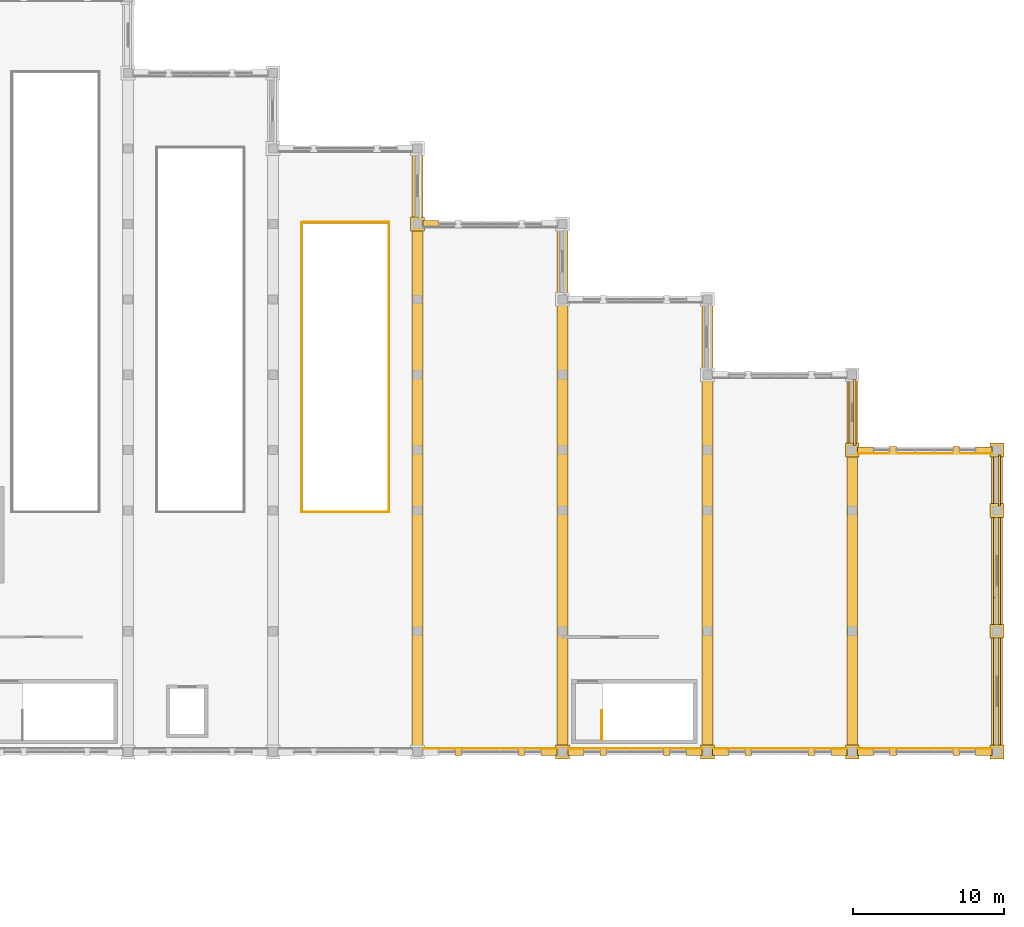
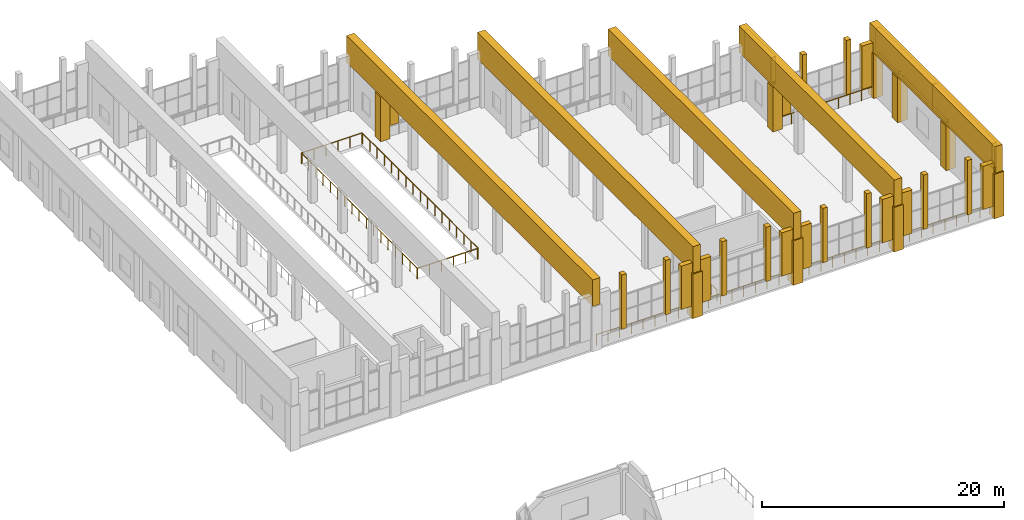
# One storey, part 45 of 46: 41 coverings, 10 railings.
"""IFC4 building model written with IfcOpenShell, lengths in metres."""

from ifc_helpers import new_model, si_unit, direction, frame, origin, origin_2d, place, context, subcontext, project, spatial, polyline, circle, outline, extrude, material, layer, layer_set, type_object, element, save


model = new_model("IFC4")

# Units and contexts
model_context = context("Model", 3, precision=1e-05, world=origin(), true_north=direction((0.0, 1.0)))
body_context = subcontext(model_context, "Body", "Model", "MODEL_VIEW")
ifc_project = project(units=[si_unit("LENGTHUNIT", "METRE"), si_unit("AREAUNIT", "SQUARE_METRE"), si_unit("VOLUMEUNIT", "CUBIC_METRE"), si_unit("PLANEANGLEUNIT", "RADIAN"), si_unit("MASSUNIT", "GRAM", prefix="KILO")], contexts=[model_context])

# Site, building, storey
site_placement = place(None, origin())
site = spatial("IfcSite", under=ifc_project, at=site_placement, CompositionType="ELEMENT")
building_placement = place(site_placement, origin())
building = spatial("IfcBuilding", under=site, at=building_placement, Name="Mavantir Sound Aquarium", CompositionType="ELEMENT")
storey_placement = place(building_placement, frame((0.0, 0.0, 15.300048828125)))
storey = spatial("IfcBuildingStorey", under=building, at=storey_placement, Name="L03", CompositionType="ELEMENT", Elevation=15.300048828125)

# Coverings
ifc_material_1 = material(Name="Honed Coral-Limestone & Glazed Terracotta Rainscreen Cladding", Category="masonry")
ifc_layer = layer(ifc_material_1, 0.06005859375, Name="Honed Coral-Limestone & Glazed Terracotta Rainscreen Cladding")
ifc_layer_set = layer_set([ifc_layer], Name="Honed Coral-Limestone & Glazed Terracotta Rainscreen Cladding")
covering_type = type_object("IfcCoveringType", Name="COV-CLAD-TC", PredefinedType="CLADDING", material=ifc_layer_set)
covering_1_placement = place(storey_placement, frame((0.0, 0.0, 4.10986328125)))
element("IfcCovering", 1, at=covering_1_placement, inside=storey, type_object=covering_type, Name="L03 Postmodern coral-limestone spandrel frieze 446", PredefinedType="CLADDING", context=body_context, shape_type="SweptSolid", body=[
    extrude(outline(polyline([(165.68994140625, 61.10791015625), (165.68994140625, 65.491943359375), (165.840087890625, 65.491943359375), (165.840087890625, 61.10791015625), (165.68994140625, 61.10791015625)])), origin(), (0.0, 0.0, 1.0), 0.39013671875),
])
covering_2_placement = place(storey_placement, frame((0.0, 0.0, 4.10986328125)))
element("IfcCovering", 2, at=covering_2_placement, inside=storey, type_object=covering_type, Name="L03 Postmodern coral-limestone spandrel frieze 461", PredefinedType="CLADDING", context=body_context, shape_type="SweptSolid", body=[
    extrude(outline(polyline([(175.2900390625, 41.10791015625), (175.2900390625, 48.491943359375), (175.43994140625, 48.491943359375), (175.43994140625, 41.10791015625), (175.2900390625, 41.10791015625)])), origin(), (0.0, 0.0, 1.0), 0.39013671875),
])
covering_3_placement = place(storey_placement, frame((0.0, 0.0, 4.10986328125)))
element("IfcCovering", 3, at=covering_3_placement, inside=storey, type_object=covering_type, Name="L03 Postmodern coral-limestone spandrel frieze 462", PredefinedType="CLADDING", context=body_context, shape_type="SweptSolid", body=[
    extrude(outline(polyline([(175.2900390625, 49.10791015625), (175.2900390625, 56.491943359375), (175.43994140625, 56.491943359375), (175.43994140625, 49.10791015625), (175.2900390625, 49.10791015625)])), origin(), (0.0, 0.0, 1.0), 0.39013671875),
])
covering_4_placement = place(storey_placement, frame((0.0, 0.0, 4.10986328125)))
element("IfcCovering", 4, at=covering_4_placement, inside=storey, type_object=covering_type, Name="L03 Postmodern coral-limestone spandrel frieze 463", PredefinedType="CLADDING", context=body_context, shape_type="SweptSolid", body=[
    extrude(outline(polyline([(175.2900390625, 57.10791015625), (175.2900390625, 60.491943359375), (175.43994140625, 60.491943359375), (175.43994140625, 57.10791015625), (175.2900390625, 57.10791015625)])), origin(), (0.0, 0.0, 1.0), 0.39013671875),
])
covering_5_placement = place(storey_placement, origin())
element("IfcCovering", 5, at=covering_5_placement, inside=storey, type_object=covering_type, Name="L03 Postmodern coral-limestone pilaster casing 280", PredefinedType="CLADDING", context=body_context, shape_type="SweptSolid", body=[
    extrude(outline(polyline([(136.340087890625, 75.340087890625), (137.260009765625, 75.340087890625), (137.260009765625, 76.260009765625), (136.340087890625, 76.260009765625), (136.340087890625, 75.340087890625)])), origin(), (0.0, 0.0, 1.0), 4.5),
])
covering_6_placement = place(storey_placement, origin())
element("IfcCovering", 6, at=covering_6_placement, inside=storey, type_object=covering_type, Name="L03 Postmodern coral-limestone pilaster casing 290", PredefinedType="CLADDING", context=body_context, shape_type="SweptSolid", body=[
    extrude(outline(polyline([(145.93994140625, 40.340087890625), (146.860107421875, 40.340087890625), (146.860107421875, 41.260009765625), (145.93994140625, 41.260009765625), (145.93994140625, 40.340087890625)])), origin(), (0.0, 0.0, 1.0), 4.5),
])
covering_7_placement = place(storey_placement, origin())
element("IfcCovering", 7, at=covering_7_placement, inside=storey, type_object=covering_type, Name="L03 Postmodern coral-limestone pilaster casing 302", PredefinedType="CLADDING", context=body_context, shape_type="SweptSolid", body=[
    extrude(outline(polyline([(155.5400390625, 40.340087890625), (156.4599609375, 40.340087890625), (156.4599609375, 41.260009765625), (155.5400390625, 41.260009765625), (155.5400390625, 40.340087890625)])), origin(), (0.0, 0.0, 1.0), 4.5),
])
covering_8_placement = place(storey_placement, origin())
element("IfcCovering", 8, at=covering_8_placement, inside=storey, type_object=covering_type, Name="L03 Postmodern coral-limestone pilaster casing 314", PredefinedType="CLADDING", context=body_context, shape_type="SweptSolid", body=[
    extrude(outline(polyline([(165.139892578125, 40.340087890625), (166.06005859375, 40.340087890625), (166.06005859375, 41.260009765625), (165.139892578125, 41.260009765625), (165.139892578125, 40.340087890625)])), origin(), (0.0, 0.0, 1.0), 4.5),
])
covering_9_placement = place(storey_placement, origin())
element("IfcCovering", 9, at=covering_9_placement, inside=storey, type_object=covering_type, Name="L03 Postmodern coral-limestone pilaster casing 316", PredefinedType="CLADDING", context=body_context, shape_type="SweptSolid", body=[
    extrude(outline(polyline([(165.139892578125, 60.340087890625), (166.06005859375, 60.340087890625), (166.06005859375, 61.260009765625), (165.139892578125, 61.260009765625), (165.139892578125, 60.340087890625)])), origin(), (0.0, 0.0, 1.0), 4.5),
])
covering_10_placement = place(storey_placement, origin())
element("IfcCovering", 10, at=covering_10_placement, inside=storey, type_object=covering_type, Name="L03 Postmodern coral-limestone pilaster casing 328", PredefinedType="CLADDING", context=body_context, shape_type="SweptSolid", body=[
    extrude(outline(polyline([(174.739990234375, 40.340087890625), (175.659912109375, 40.340087890625), (175.659912109375, 41.260009765625), (174.739990234375, 41.260009765625), (174.739990234375, 40.340087890625)])), origin(), (0.0, 0.0, 1.0), 4.5),
])
covering_11_placement = place(storey_placement, origin())
element("IfcCovering", 11, at=covering_11_placement, inside=storey, type_object=covering_type, Name="L03 Postmodern coral-limestone pilaster casing 332", PredefinedType="CLADDING", context=body_context, shape_type="SweptSolid", body=[
    extrude(outline(polyline([(174.739990234375, 48.340087890625), (175.659912109375, 48.340087890625), (175.659912109375, 49.260009765625), (174.739990234375, 49.260009765625), (174.739990234375, 48.340087890625)])), origin(), (0.0, 0.0, 1.0), 4.5),
])
covering_12_placement = place(storey_placement, origin())
element("IfcCovering", 12, at=covering_12_placement, inside=storey, type_object=covering_type, Name="L03 Postmodern coral-limestone pilaster casing 336", PredefinedType="CLADDING", context=body_context, shape_type="SweptSolid", body=[
    extrude(outline(polyline([(174.739990234375, 56.340087890625), (175.659912109375, 56.340087890625), (175.659912109375, 57.260009765625), (174.739990234375, 57.260009765625), (174.739990234375, 56.340087890625)])), origin(), (0.0, 0.0, 1.0), 4.5),
])
covering_13_placement = place(storey_placement, origin())
element("IfcCovering", 13, at=covering_13_placement, inside=storey, type_object=covering_type, Name="L03 Postmodern coral-limestone pilaster casing 340", PredefinedType="CLADDING", context=body_context, shape_type="SweptSolid", body=[
    extrude(outline(polyline([(174.739990234375, 60.340087890625), (175.659912109375, 60.340087890625), (175.659912109375, 61.260009765625), (174.739990234375, 61.260009765625), (174.739990234375, 60.340087890625)])), origin(), (0.0, 0.0, 1.0), 4.5),
])
covering_14_placement = place(storey_placement, frame((0.0, 0.0, 4.5)))
element("IfcCovering", 14, at=covering_14_placement, inside=storey, type_object=covering_type, Name="V4 scalloped ridge coral-limestone frieze E.1", PredefinedType="CLADDING", context=body_context, shape_type="SweptSolid", body=[
    extrude(outline(polyline([(174.97998046875, 41.179931640625), (175.419921875, 41.179931640625), (175.419921875, 51.02001953125), (174.97998046875, 51.02001953125), (174.97998046875, 41.179931640625)])), origin(), (0.0, 0.0, 1.0), 2.5),
])
covering_15_placement = place(storey_placement, frame((0.0, 0.0, 4.5)))
element("IfcCovering", 15, at=covering_15_placement, inside=storey, type_object=covering_type, Name="V4 scalloped ridge coral-limestone frieze E.2", PredefinedType="CLADDING", context=body_context, shape_type="SweptSolid", body=[
    extrude(outline(polyline([(174.97998046875, 50.580078125), (175.419921875, 50.580078125), (175.419921875, 60.419921875), (174.97998046875, 60.419921875), (174.97998046875, 50.580078125)])), origin(), (0.0, 0.0, 1.0), 2.5),
])
covering_16_placement = place(storey_placement, frame((0.0, 0.0, 4.5)))
element("IfcCovering", 16, at=covering_16_placement, inside=storey, type_object=covering_type, Name="V4 scalloped ridge coral-limestone frieze CHK6.1", PredefinedType="CLADDING", context=body_context, shape_type="SweptSolid", body=[
    extrude(outline(polyline([(165.3798828125, 61.030029296875), (165.820068359375, 61.030029296875), (165.820068359375, 65.570068359375), (165.3798828125, 65.570068359375), (165.3798828125, 61.030029296875)])), origin(), (0.0, 0.0, 1.0), 2.5),
])
covering_17_placement = place(storey_placement, frame((0.0, 0.0, 4.5)))
element("IfcCovering", 17, at=covering_17_placement, inside=storey, type_object=covering_type, Name="V4 scalloped straight ridge limestone casing 4", PredefinedType="CLADDING", context=body_context, shape_type="SweptSolid", body=[
    extrude(outline(polyline([(136.43994140625, 40.449951171875), (137.159912109375, 40.449951171875), (137.159912109375, 81.14990234375), (136.43994140625, 81.14990234375), (136.43994140625, 40.449951171875)])), origin(), (0.0, 0.0, 1.0), 2.679931640625),
])
covering_18_placement = place(storey_placement, frame((0.0, 0.0, 4.5)))
element("IfcCovering", 18, at=covering_18_placement, inside=storey, type_object=covering_type, Name="V4 scalloped straight ridge limestone casing 5", PredefinedType="CLADDING", context=body_context, shape_type="SweptSolid", body=[
    extrude(outline(polyline([(146.0400390625, 40.449951171875), (146.760009765625, 40.449951171875), (146.760009765625, 76.14990234375), (146.0400390625, 76.14990234375), (146.0400390625, 40.449951171875)])), origin(), (0.0, 0.0, 1.0), 2.679931640625),
])
covering_19_placement = place(storey_placement, frame((0.0, 0.0, 4.5)))
element("IfcCovering", 19, at=covering_19_placement, inside=storey, type_object=covering_type, Name="V4 scalloped straight ridge limestone casing 6", PredefinedType="CLADDING", context=body_context, shape_type="SweptSolid", body=[
    extrude(outline(polyline([(155.639892578125, 40.449951171875), (156.360107421875, 40.449951171875), (156.360107421875, 71.14990234375), (155.639892578125, 71.14990234375), (155.639892578125, 40.449951171875)])), origin(), (0.0, 0.0, 1.0), 2.679931640625),
])
covering_20_placement = place(storey_placement, frame((0.0, 0.0, 4.5)))
element("IfcCovering", 20, at=covering_20_placement, inside=storey, type_object=covering_type, Name="V4 scalloped straight ridge limestone casing 7", PredefinedType="CLADDING", context=body_context, shape_type="SweptSolid", body=[
    extrude(outline(polyline([(165.239990234375, 40.449951171875), (165.9599609375, 40.449951171875), (165.9599609375, 66.14990234375), (165.239990234375, 66.14990234375), (165.239990234375, 40.449951171875)])), origin(), (0.0, 0.0, 1.0), 2.679931640625),
])
covering_21_placement = place(storey_placement, frame((0.0, 0.0, 4.5)))
element("IfcCovering", 21, at=covering_21_placement, inside=storey, type_object=covering_type, Name="V4 scalloped straight ridge limestone casing 8", PredefinedType="CLADDING", context=body_context, shape_type="SweptSolid", body=[
    extrude(outline(polyline([(174.840087890625, 40.449951171875), (175.56005859375, 40.449951171875), (175.56005859375, 61.14990234375), (174.840087890625, 61.14990234375), (174.840087890625, 40.449951171875)])), origin(), (0.0, 0.0, 1.0), 2.679931640625),
])
covering_22_placement = place(storey_placement, frame((0.0, 0.0, 1.119873046875)))
element("IfcCovering", 22, at=covering_22_placement, inside=storey, type_object=covering_type, Name="Scalloped bay 4 S Diocletian stone mullion ML", PredefinedType="CLADDING", context=body_context, shape_type="SweptSolid", body=[
    extrude(outline(polyline([(139.280029296875, 40.56005859375), (139.719970703125, 40.56005859375), (139.719970703125, 41.0400390625), (139.280029296875, 41.0400390625), (139.280029296875, 40.56005859375)])), origin(), (0.0, 0.0, 1.0), 5.49072265625),
])
covering_23_placement = place(storey_placement, frame((0.0, 0.0, 1.119873046875)))
element("IfcCovering", 23, at=covering_23_placement, inside=storey, type_object=covering_type, Name="Scalloped bay 4 S Diocletian stone mullion MR", PredefinedType="CLADDING", context=body_context, shape_type="SweptSolid", body=[
    extrude(outline(polyline([(143.47998046875, 40.56005859375), (143.919921875, 40.56005859375), (143.919921875, 41.0400390625), (143.47998046875, 41.0400390625), (143.47998046875, 40.56005859375)])), origin(), (0.0, 0.0, 1.0), 5.49072265625),
])
covering_24_placement = place(storey_placement, frame((0.0, 0.0, 1.119873046875)))
element("IfcCovering", 24, at=covering_24_placement, inside=storey, type_object=covering_type, Name="Scalloped bay 4 S Diocletian haunch spandrel HR", PredefinedType="CLADDING", context=body_context, shape_type="SweptSolid", body=[
    extrude(outline(polyline([(144.97998046875, 40.580078125), (146.050048828125, 40.580078125), (146.050048828125, 41.02001953125), (144.97998046875, 41.02001953125), (144.97998046875, 40.580078125)])), origin(), (0.0, 0.0, 1.0), 4.379638671875),
])
covering_25_placement = place(storey_placement, frame((0.0, 0.0, 1.119873046875)))
element("IfcCovering", 25, at=covering_25_placement, inside=storey, type_object=covering_type, Name="Scalloped bay 4 N Diocletian haunch spandrel HL", PredefinedType="CLADDING", context=body_context, shape_type="SweptSolid", body=[
    extrude(outline(polyline([(137.14990234375, 75.580078125), (138.219970703125, 75.580078125), (138.219970703125, 76.02001953125), (137.14990234375, 76.02001953125), (137.14990234375, 75.580078125)])), origin(), (0.0, 0.0, 1.0), 4.379638671875),
])
covering_26_placement = place(storey_placement, frame((0.0, 0.0, 1.119873046875)))
element("IfcCovering", 26, at=covering_26_placement, inside=storey, type_object=covering_type, Name="Scalloped bay 5 S Diocletian stone mullion ML", PredefinedType="CLADDING", context=body_context, shape_type="SweptSolid", body=[
    extrude(outline(polyline([(148.8798828125, 40.56005859375), (149.320068359375, 40.56005859375), (149.320068359375, 41.0400390625), (148.8798828125, 41.0400390625), (148.8798828125, 40.56005859375)])), origin(), (0.0, 0.0, 1.0), 5.49072265625),
])
covering_27_placement = place(storey_placement, frame((0.0, 0.0, 1.119873046875)))
element("IfcCovering", 27, at=covering_27_placement, inside=storey, type_object=covering_type, Name="Scalloped bay 5 S Diocletian stone mullion MR", PredefinedType="CLADDING", context=body_context, shape_type="SweptSolid", body=[
    extrude(outline(polyline([(153.080078125, 40.56005859375), (153.52001953125, 40.56005859375), (153.52001953125, 41.0400390625), (153.080078125, 41.0400390625), (153.080078125, 40.56005859375)])), origin(), (0.0, 0.0, 1.0), 5.49072265625),
])
covering_28_placement = place(storey_placement, frame((0.0, 0.0, 1.119873046875)))
element("IfcCovering", 28, at=covering_28_placement, inside=storey, type_object=covering_type, Name="Scalloped bay 5 S Diocletian haunch spandrel HL", PredefinedType="CLADDING", context=body_context, shape_type="SweptSolid", body=[
    extrude(outline(polyline([(146.75, 40.580078125), (147.820068359375, 40.580078125), (147.820068359375, 41.02001953125), (146.75, 41.02001953125), (146.75, 40.580078125)])), origin(), (0.0, 0.0, 1.0), 4.379638671875),
])
covering_29_placement = place(storey_placement, frame((0.0, 0.0, 1.119873046875)))
element("IfcCovering", 29, at=covering_29_placement, inside=storey, type_object=covering_type, Name="Scalloped bay 5 S Diocletian haunch spandrel HR", PredefinedType="CLADDING", context=body_context, shape_type="SweptSolid", body=[
    extrude(outline(polyline([(154.580078125, 40.580078125), (155.64990234375, 40.580078125), (155.64990234375, 41.02001953125), (154.580078125, 41.02001953125), (154.580078125, 40.580078125)])), origin(), (0.0, 0.0, 1.0), 4.379638671875),
])
covering_30_placement = place(storey_placement, frame((0.0, 0.0, 1.119873046875)))
element("IfcCovering", 30, at=covering_30_placement, inside=storey, type_object=covering_type, Name="Scalloped bay 6 S Diocletian stone mullion ML", PredefinedType="CLADDING", context=body_context, shape_type="SweptSolid", body=[
    extrude(outline(polyline([(158.47998046875, 40.56005859375), (158.919921875, 40.56005859375), (158.919921875, 41.0400390625), (158.47998046875, 41.0400390625), (158.47998046875, 40.56005859375)])), origin(), (0.0, 0.0, 1.0), 5.49072265625),
])
covering_31_placement = place(storey_placement, frame((0.0, 0.0, 1.119873046875)))
element("IfcCovering", 31, at=covering_31_placement, inside=storey, type_object=covering_type, Name="Scalloped bay 6 S Diocletian stone mullion MR", PredefinedType="CLADDING", context=body_context, shape_type="SweptSolid", body=[
    extrude(outline(polyline([(162.679931640625, 40.56005859375), (163.1201171875, 40.56005859375), (163.1201171875, 41.0400390625), (162.679931640625, 41.0400390625), (162.679931640625, 40.56005859375)])), origin(), (0.0, 0.0, 1.0), 5.49072265625),
])
covering_32_placement = place(storey_placement, frame((0.0, 0.0, 1.119873046875)))
element("IfcCovering", 32, at=covering_32_placement, inside=storey, type_object=covering_type, Name="Scalloped bay 6 S Diocletian haunch spandrel HL", PredefinedType="CLADDING", context=body_context, shape_type="SweptSolid", body=[
    extrude(outline(polyline([(156.35009765625, 40.580078125), (157.419921875, 40.580078125), (157.419921875, 41.02001953125), (156.35009765625, 41.02001953125), (156.35009765625, 40.580078125)])), origin(), (0.0, 0.0, 1.0), 4.379638671875),
])
covering_33_placement = place(storey_placement, frame((0.0, 0.0, 1.119873046875)))
element("IfcCovering", 33, at=covering_33_placement, inside=storey, type_object=covering_type, Name="Scalloped bay 6 S Diocletian haunch spandrel HR", PredefinedType="CLADDING", context=body_context, shape_type="SweptSolid", body=[
    extrude(outline(polyline([(164.179931640625, 40.580078125), (165.25, 40.580078125), (165.25, 41.02001953125), (164.179931640625, 41.02001953125), (164.179931640625, 40.580078125)])), origin(), (0.0, 0.0, 1.0), 4.379638671875),
])
covering_34_placement = place(storey_placement, frame((0.0, 0.0, 1.119873046875)))
element("IfcCovering", 34, at=covering_34_placement, inside=storey, type_object=covering_type, Name="Scalloped bay 7 S Diocletian stone mullion ML", PredefinedType="CLADDING", context=body_context, shape_type="SweptSolid", body=[
    extrude(outline(polyline([(168.080078125, 40.56005859375), (168.52001953125, 40.56005859375), (168.52001953125, 41.0400390625), (168.080078125, 41.0400390625), (168.080078125, 40.56005859375)])), origin(), (0.0, 0.0, 1.0), 5.49072265625),
])
covering_35_placement = place(storey_placement, frame((0.0, 0.0, 1.119873046875)))
element("IfcCovering", 35, at=covering_35_placement, inside=storey, type_object=covering_type, Name="Scalloped bay 7 S Diocletian stone mullion MR", PredefinedType="CLADDING", context=body_context, shape_type="SweptSolid", body=[
    extrude(outline(polyline([(172.280029296875, 40.56005859375), (172.719970703125, 40.56005859375), (172.719970703125, 41.0400390625), (172.280029296875, 41.0400390625), (172.280029296875, 40.56005859375)])), origin(), (0.0, 0.0, 1.0), 5.49072265625),
])
covering_36_placement = place(storey_placement, frame((0.0, 0.0, 1.119873046875)))
element("IfcCovering", 36, at=covering_36_placement, inside=storey, type_object=covering_type, Name="Scalloped bay 7 S Diocletian haunch spandrel HL", PredefinedType="CLADDING", context=body_context, shape_type="SweptSolid", body=[
    extrude(outline(polyline([(165.949951171875, 40.580078125), (167.02001953125, 40.580078125), (167.02001953125, 41.02001953125), (165.949951171875, 41.02001953125), (165.949951171875, 40.580078125)])), origin(), (0.0, 0.0, 1.0), 4.379638671875),
])
covering_37_placement = place(storey_placement, frame((0.0, 0.0, 1.119873046875)))
element("IfcCovering", 37, at=covering_37_placement, inside=storey, type_object=covering_type, Name="Scalloped bay 7 S Diocletian haunch spandrel HR", PredefinedType="CLADDING", context=body_context, shape_type="SweptSolid", body=[
    extrude(outline(polyline([(173.780029296875, 40.580078125), (174.85009765625, 40.580078125), (174.85009765625, 41.02001953125), (173.780029296875, 41.02001953125), (173.780029296875, 40.580078125)])), origin(), (0.0, 0.0, 1.0), 4.379638671875),
])
covering_38_placement = place(storey_placement, frame((0.0, 0.0, 1.119873046875)))
element("IfcCovering", 38, at=covering_38_placement, inside=storey, type_object=covering_type, Name="Scalloped bay 7 N Diocletian stone mullion ML", PredefinedType="CLADDING", context=body_context, shape_type="SweptSolid", body=[
    extrude(outline(polyline([(168.080078125, 60.56005859375), (168.52001953125, 60.56005859375), (168.52001953125, 61.0400390625), (168.080078125, 61.0400390625), (168.080078125, 60.56005859375)])), origin(), (0.0, 0.0, 1.0), 5.49072265625),
])
covering_39_placement = place(storey_placement, frame((0.0, 0.0, 1.119873046875)))
element("IfcCovering", 39, at=covering_39_placement, inside=storey, type_object=covering_type, Name="Scalloped bay 7 N Diocletian stone mullion MR", PredefinedType="CLADDING", context=body_context, shape_type="SweptSolid", body=[
    extrude(outline(polyline([(172.280029296875, 60.56005859375), (172.719970703125, 60.56005859375), (172.719970703125, 61.0400390625), (172.280029296875, 61.0400390625), (172.280029296875, 60.56005859375)])), origin(), (0.0, 0.0, 1.0), 5.49072265625),
])
covering_40_placement = place(storey_placement, frame((0.0, 0.0, 1.119873046875)))
element("IfcCovering", 40, at=covering_40_placement, inside=storey, type_object=covering_type, Name="Scalloped bay 7 N Diocletian haunch spandrel HL", PredefinedType="CLADDING", context=body_context, shape_type="SweptSolid", body=[
    extrude(outline(polyline([(165.949951171875, 60.580078125), (167.02001953125, 60.580078125), (167.02001953125, 61.02001953125), (165.949951171875, 61.02001953125), (165.949951171875, 60.580078125)])), origin(), (0.0, 0.0, 1.0), 4.379638671875),
])
covering_41_placement = place(storey_placement, frame((0.0, 0.0, 1.119873046875)))
element("IfcCovering", 41, at=covering_41_placement, inside=storey, type_object=covering_type, Name="Scalloped bay 7 N Diocletian haunch spandrel HR", PredefinedType="CLADDING", context=body_context, shape_type="SweptSolid", body=[
    extrude(outline(polyline([(173.780029296875, 60.580078125), (174.85009765625, 60.580078125), (174.85009765625, 61.02001953125), (173.780029296875, 61.02001953125), (173.780029296875, 60.580078125)])), origin(), (0.0, 0.0, 1.0), 4.379638671875),
])

# Railings
ifc_material_2 = material(Name="Stainless Steel 316 and Laminated Glass Guardrail", Category="steel")
railing_type = type_object("IfcRailingType", Name="RL-GUARD-110", PredefinedType="GUARDRAIL", material=ifc_material_2)
for number, where, name in (
    (42, (137.1201171875, 41.02001953125, 0.0), "L03 scalloped bay 4 S lunette gallery guardrail"),
    (43, (146.719970703125, 41.02001953125, 0.0), "L03 scalloped bay 5 S lunette gallery guardrail"),
    (44, (156.320068359375, 41.02001953125, 0.0), "L03 scalloped bay 6 S lunette gallery guardrail"),
    (45, (165.919921875, 41.02001953125, 0.0), "L03 scalloped bay 7 S lunette gallery guardrail"),
    (46, (165.919921875, 60.580078125, 0.0), "L03 scalloped bay 7 N lunette gallery guardrail"),
):
    element("IfcRailing", number, at=place(storey_placement, frame(where)), inside=storey, type_object=railing_type, Name=name, PredefinedType="GUARDRAIL", context=body_context, shape_type="SweptSolid", body=[
        extrude(circle(Radius=0.02392578125, at=origin_2d()), frame((0.0, 0.0, 1.076171875), z_axis=(1.0, 0.0, 0.0), x_axis=(0.0, 1.0, 0.0)), (0.0, 0.0, 1.0), 8.9599609375),
        extrude(circle(Radius=0.02099609375, at=origin_2d()), origin(), (0.0, 0.0, 1.0), 1.052001953125),
        extrude(circle(Radius=0.02099609375, at=origin_2d()), frame((1.1201171875, 0.0, 0.0)), (0.0, 0.0, 1.0), 1.052001953125),
        extrude(circle(Radius=0.02099609375, at=origin_2d()), frame((2.239990234375, 0.0, 0.0)), (0.0, 0.0, 1.0), 1.052001953125),
        extrude(circle(Radius=0.02099609375, at=origin_2d()), frame((3.35986328125, 0.0, 0.0)), (0.0, 0.0, 1.0), 1.052001953125),
        extrude(circle(Radius=0.02099609375, at=origin_2d()), frame((4.47998046875, 0.0, 0.0)), (0.0, 0.0, 1.0), 1.052001953125),
        extrude(circle(Radius=0.02099609375, at=origin_2d()), frame((5.60009765625, 0.0, 0.0)), (0.0, 0.0, 1.0), 1.052001953125),
        extrude(circle(Radius=0.02099609375, at=origin_2d()), frame((6.719970703125, 0.0, 0.0)), (0.0, 0.0, 1.0), 1.052001953125),
        extrude(circle(Radius=0.02099609375, at=origin_2d()), frame((7.83984375, 0.0, 0.0)), (0.0, 0.0, 1.0), 1.052001953125),
        extrude(circle(Radius=0.02099609375, at=origin_2d()), frame((8.9599609375, 0.0, 0.0)), (0.0, 0.0, 1.0), 1.052001953125),
    ])
railing_1_placement = place(storey_placement, frame((129.10009765625, 56.699951171875, 0.0)))
element("IfcRailing", 47, at=railing_1_placement, inside=storey, type_object=railing_type, Name="L03 atrium void S guardrail 159", PredefinedType="GUARDRAIL", context=body_context, shape_type="SweptSolid", body=[
    extrude(circle(Radius=0.02392578125, at=origin_2d()), frame((0.0, 0.0, 1.076171875), z_axis=(1.0, 0.0, 0.0), x_axis=(0.0, 1.0, 0.0)), (0.0, 0.0, 1.0), 5.719970703125),
    extrude(circle(Radius=0.02099609375, at=origin_2d()), origin(), (0.0, 0.0, 1.0), 1.052001953125),
    extrude(circle(Radius=0.02099609375, at=origin_2d()), frame((1.14404296875, 0.0, 0.0)), (0.0, 0.0, 1.0), 1.052001953125),
    extrude(circle(Radius=0.02099609375, at=origin_2d()), frame((2.2880859375, 0.0, 0.0)), (0.0, 0.0, 1.0), 1.052001953125),
    extrude(circle(Radius=0.02099609375, at=origin_2d()), frame((3.431884765625, 0.0, 0.0)), (0.0, 0.0, 1.0), 1.052001953125),
    extrude(circle(Radius=0.02099609375, at=origin_2d()), frame((4.575927734375, 0.0, 0.0)), (0.0, 0.0, 1.0), 1.052001953125),
    extrude(circle(Radius=0.02099609375, at=origin_2d()), frame((5.719970703125, 0.0, 0.0)), (0.0, 0.0, 1.0), 1.052001953125),
])
railing_2_placement = place(storey_placement, frame((134.89990234375, 56.699951171875, 0.0)))
element("IfcRailing", 48, at=railing_2_placement, inside=storey, type_object=railing_type, Name="L03 atrium void E guardrail 160", PredefinedType="GUARDRAIL", context=body_context, shape_type="SweptSolid", body=[
    extrude(circle(Radius=0.02392578125, at=origin_2d()), frame((0.0, 0.0, 1.076171875), z_axis=(0.0, 1.0, 0.0), x_axis=(-1.0, 0.0, 0.0)), (0.0, 0.0, 1.0), 19.1201171875),
    extrude(circle(Radius=0.02099609375, at=origin_2d()), origin(), (0.0, 0.0, 1.0), 1.052001953125),
    extrude(circle(Radius=0.02099609375, at=origin_2d()), frame((0.0, 1.195068359375, 0.0)), (0.0, 0.0, 1.0), 1.052001953125),
    extrude(circle(Radius=0.02099609375, at=origin_2d()), frame((0.0, 2.39013671875, 0.0)), (0.0, 0.0, 1.0), 1.052001953125),
    extrude(circle(Radius=0.02099609375, at=origin_2d()), frame((0.0, 3.5849609375, 0.0)), (0.0, 0.0, 1.0), 1.052001953125),
    extrude(circle(Radius=0.02099609375, at=origin_2d()), frame((0.0, 4.780029296875, 0.0)), (0.0, 0.0, 1.0), 1.052001953125),
    extrude(circle(Radius=0.02099609375, at=origin_2d()), frame((0.0, 5.97509765625, 0.0)), (0.0, 0.0, 1.0), 1.052001953125),
    extrude(circle(Radius=0.02099609375, at=origin_2d()), frame((0.0, 7.169921875, 0.0)), (0.0, 0.0, 1.0), 1.052001953125),
    extrude(circle(Radius=0.02099609375, at=origin_2d()), frame((0.0, 8.364990234375, 0.0)), (0.0, 0.0, 1.0), 1.052001953125),
    extrude(circle(Radius=0.02099609375, at=origin_2d()), frame((0.0, 9.56005859375, 0.0)), (0.0, 0.0, 1.0), 1.052001953125),
    extrude(circle(Radius=0.02099609375, at=origin_2d()), frame((0.0, 10.755126953125, 0.0)), (0.0, 0.0, 1.0), 1.052001953125),
    extrude(circle(Radius=0.02099609375, at=origin_2d()), frame((0.0, 11.9501953125, 0.0)), (0.0, 0.0, 1.0), 1.052001953125),
    extrude(circle(Radius=0.02099609375, at=origin_2d()), frame((0.0, 13.14501953125, 0.0)), (0.0, 0.0, 1.0), 1.052001953125),
    extrude(circle(Radius=0.02099609375, at=origin_2d()), frame((0.0, 14.340087890625, 0.0)), (0.0, 0.0, 1.0), 1.052001953125),
    extrude(circle(Radius=0.02099609375, at=origin_2d()), frame((0.0, 15.53515625, 0.0)), (0.0, 0.0, 1.0), 1.052001953125),
    extrude(circle(Radius=0.02099609375, at=origin_2d()), frame((0.0, 16.72998046875, 0.0)), (0.0, 0.0, 1.0), 1.052001953125),
    extrude(circle(Radius=0.02099609375, at=origin_2d()), frame((0.0, 17.925048828125, 0.0)), (0.0, 0.0, 1.0), 1.052001953125),
    extrude(circle(Radius=0.02099609375, at=origin_2d()), frame((0.0, 19.1201171875, 0.0)), (0.0, 0.0, 1.0), 1.052001953125),
])
railing_3_placement = place(storey_placement, frame((134.89990234375, 75.89990234375, 0.0)))
element("IfcRailing", 49, at=railing_3_placement, inside=storey, type_object=railing_type, Name="L03 atrium void N guardrail 161", PredefinedType="GUARDRAIL", context=body_context, shape_type="SweptSolid", body=[
    extrude(circle(Radius=0.02392578125, at=origin_2d()), frame((0.0, 0.0, 1.076171875), z_axis=(-1.0, 0.0, 0.0), x_axis=(0.0, -1.0, 0.0)), (0.0, 0.0, 1.0), 5.719970703125),
    extrude(circle(Radius=0.02099609375, at=origin_2d()), origin(), (0.0, 0.0, 1.0), 1.052001953125),
    extrude(circle(Radius=0.02099609375, at=origin_2d()), frame((-1.14404296875, 0.0, 0.0)), (0.0, 0.0, 1.0), 1.052001953125),
    extrude(circle(Radius=0.02099609375, at=origin_2d()), frame((-2.2880859375, 0.0, 0.0)), (0.0, 0.0, 1.0), 1.052001953125),
    extrude(circle(Radius=0.02099609375, at=origin_2d()), frame((-3.431884765625, 0.0, 0.0)), (0.0, 0.0, 1.0), 1.052001953125),
    extrude(circle(Radius=0.02099609375, at=origin_2d()), frame((-4.575927734375, 0.0, 0.0)), (0.0, 0.0, 1.0), 1.052001953125),
    extrude(circle(Radius=0.02099609375, at=origin_2d()), frame((-5.719970703125, 0.0, 0.0)), (0.0, 0.0, 1.0), 1.052001953125),
])
railing_4_placement = place(storey_placement, frame((129.10009765625, 75.89990234375, 0.0)))
element("IfcRailing", 50, at=railing_4_placement, inside=storey, type_object=railing_type, Name="L03 atrium void W guardrail 162", PredefinedType="GUARDRAIL", context=body_context, shape_type="SweptSolid", body=[
    extrude(circle(Radius=0.02392578125, at=origin_2d()), frame((0.0, 0.0, 1.076171875), z_axis=(0.0, -1.0, 0.0), x_axis=(1.0, 0.0, 0.0)), (0.0, 0.0, 1.0), 19.119873046875),
    extrude(circle(Radius=0.02099609375, at=origin_2d()), origin(), (0.0, 0.0, 1.0), 1.052001953125),
    extrude(circle(Radius=0.02099609375, at=origin_2d()), frame((0.0, -1.195068359375, 0.0)), (0.0, 0.0, 1.0), 1.052001953125),
    extrude(circle(Radius=0.02099609375, at=origin_2d()), frame((0.0, -2.389892578125, 0.0)), (0.0, 0.0, 1.0), 1.052001953125),
    extrude(circle(Radius=0.02099609375, at=origin_2d()), frame((0.0, -3.5849609375, 0.0)), (0.0, 0.0, 1.0), 1.052001953125),
    extrude(circle(Radius=0.02099609375, at=origin_2d()), frame((0.0, -4.780029296875, 0.0)), (0.0, 0.0, 1.0), 1.052001953125),
    extrude(circle(Radius=0.02099609375, at=origin_2d()), frame((0.0, -5.974853515625, 0.0)), (0.0, 0.0, 1.0), 1.052001953125),
    extrude(circle(Radius=0.02099609375, at=origin_2d()), frame((0.0, -7.169921875, 0.0)), (0.0, 0.0, 1.0), 1.052001953125),
    extrude(circle(Radius=0.02099609375, at=origin_2d()), frame((0.0, -8.364990234375, 0.0)), (0.0, 0.0, 1.0), 1.052001953125),
    extrude(circle(Radius=0.02099609375, at=origin_2d()), frame((0.0, -9.56005859375, 0.0)), (0.0, 0.0, 1.0), 1.052001953125),
    extrude(circle(Radius=0.02099609375, at=origin_2d()), frame((0.0, -10.7548828125, 0.0)), (0.0, 0.0, 1.0), 1.052001953125),
    extrude(circle(Radius=0.02099609375, at=origin_2d()), frame((0.0, -11.949951171875, 0.0)), (0.0, 0.0, 1.0), 1.052001953125),
    extrude(circle(Radius=0.02099609375, at=origin_2d()), frame((0.0, -13.14501953125, 0.0)), (0.0, 0.0, 1.0), 1.052001953125),
    extrude(circle(Radius=0.02099609375, at=origin_2d()), frame((0.0, -14.33984375, 0.0)), (0.0, 0.0, 1.0), 1.052001953125),
    extrude(circle(Radius=0.02099609375, at=origin_2d()), frame((0.0, -15.534912109375, 0.0)), (0.0, 0.0, 1.0), 1.052001953125),
    extrude(circle(Radius=0.02099609375, at=origin_2d()), frame((0.0, -16.72998046875, 0.0)), (0.0, 0.0, 1.0), 1.052001953125),
    extrude(circle(Radius=0.02099609375, at=origin_2d()), frame((0.0, -17.9248046875, 0.0)), (0.0, 0.0, 1.0), 1.052001953125),
    extrude(circle(Radius=0.02099609375, at=origin_2d()), frame((0.0, -19.119873046875, 0.0)), (0.0, 0.0, 1.0), 1.052001953125),
])
railing_5_placement = place(storey_placement, frame((149.0, 41.60009765625, 0.0)))
element("IfcRailing", 51, at=railing_5_placement, inside=storey, type_object=railing_type, Name="L03 ST12 top well guard 1", PredefinedType="GUARDRAIL", context=body_context, shape_type="SweptSolid", body=[
    extrude(circle(Radius=0.02392578125, at=origin_2d()), frame((0.0, 0.0, 1.076171875), z_axis=(0.0, 1.0, 0.0), x_axis=(-1.0, 0.0, 0.0)), (0.0, 0.0, 1.0), 1.949951171875),
    extrude(circle(Radius=0.02099609375, at=origin_2d()), origin(), (0.0, 0.0, 1.0), 1.052001953125),
    extrude(circle(Radius=0.02099609375, at=origin_2d()), frame((0.0, 0.97509765625, 0.0)), (0.0, 0.0, 1.0), 1.052001953125),
    extrude(circle(Radius=0.02099609375, at=origin_2d()), frame((0.0, 1.949951171875, 0.0)), (0.0, 0.0, 1.0), 1.052001953125),
])

save(model, "model.ifc")
